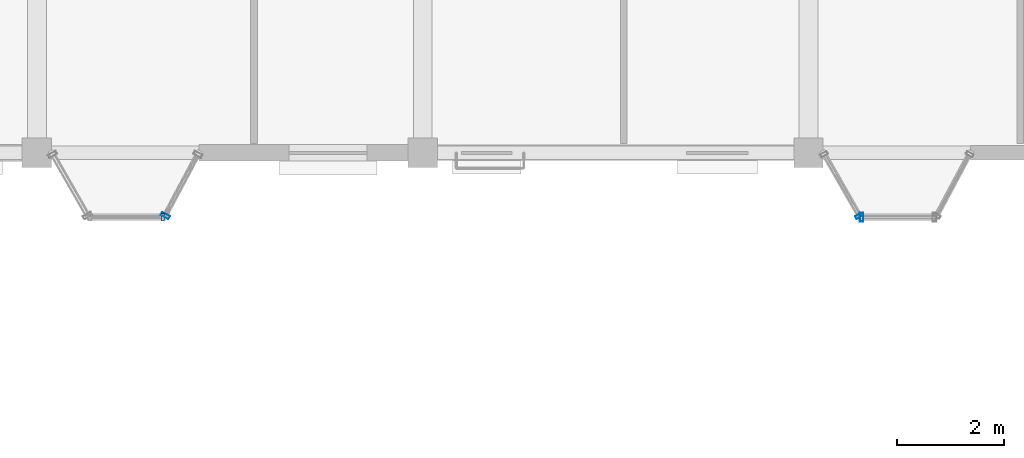
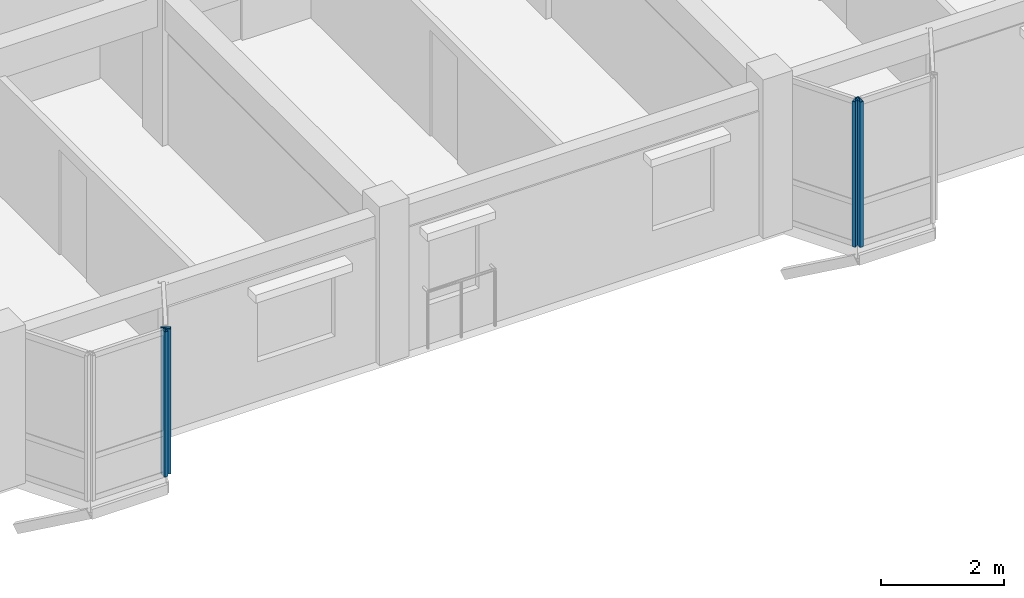
# One storey, part 32 of 75: 4 members, 4 elements without a shape of their own.
"""IFC4 building model written with IfcOpenShell, lengths in metres."""

from ifc_helpers import new_model, si_unit, direction, frame, origin, origin_2d, place, context, subcontext, project, spatial, hollow_rectangle, extrude, material, layer, layer_set, material_profile, profile_set, type_object, element, aggregate, save


model = new_model("IFC4")

# Units and contexts
model_context = context("Model", 3, precision=1e-05, world=origin(), true_north=direction((0.0, 1.0)))
body_context = subcontext(model_context, "Body", "Model", "MODEL_VIEW")
ifc_project = project(units=[si_unit("LENGTHUNIT", "METRE"), si_unit("AREAUNIT", "SQUARE_METRE"), si_unit("VOLUMEUNIT", "CUBIC_METRE"), si_unit("PLANEANGLEUNIT", "RADIAN"), si_unit("MASSUNIT", "GRAM", prefix="KILO"), si_unit("THERMODYNAMICTEMPERATUREUNIT", "KELVIN"), si_unit("POWERUNIT", "WATT")], contexts=[model_context])

# Site, building, storey
site_placement = place(None, origin())
site = spatial("IfcSite", under=ifc_project, at=site_placement, CompositionType="ELEMENT")
building_placement = place(site_placement, origin())
building = spatial("IfcBuilding", under=site, at=building_placement, Name="Tavuni Mirador Residences", CompositionType="ELEMENT")
storey_placement = place(building_placement, frame((0.0, 0.0, 20.25)))
storey = spatial("IfcBuildingStorey", under=building, at=storey_placement, Name="L06", CompositionType="ELEMENT", Elevation=20.25)

# Curtain wall, member
ifc_material = material(Name="Anodised aluminium", Category="aluminium")
ifc_layer_1 = layer(ifc_material, 0.1650390625, Name="Anodised aluminium", Category="aluminium")
ifc_layer_set_1 = layer_set([ifc_layer_1], Name="Anodised aluminium")
curtain_wall_type_1 = type_object("IfcCurtainWallType", Name="CWT-MIR-A", PredefinedType="NOTDEFINED", material=ifc_layer_set_1)
curtain_wall_1_placement = place(storey_placement, origin())
curtain_wall_1 = element("IfcCurtainWall", 1, at=curtain_wall_1_placement, inside=storey, type_object=curtain_wall_type_1, Name="CW-MIR-C-S2-L06-MF", PredefinedType="NOTDEFINED")
ifc_material_profile_1 = material_profile(ifc_material, hollow_rectangle(XDim=0.06005859375, YDim=0.139892578125, WallThickness=0.00390625, at=origin_2d()), Name="ALU 60x140x4.0", Category="aluminium")
ifc_profile_set_1 = profile_set([ifc_material_profile_1], Name="Anodised aluminium")
member_type_1 = type_object("IfcMemberType", Name="CWM-140", PredefinedType="MULLION", material=ifc_profile_set_1)
member_1_placement = place(storey_placement, frame((34.75, 142.800048828125, 0.0), z_axis=(0.0, 0.0, 1.0), x_axis=(1.0, 0.0, 0.0)))
member_1 = element("IfcMember", 2, at=member_1_placement, type_object=member_type_1, Name="CW-01 mullion 2", PredefinedType="MULLION", context=body_context, shape_type="SweptSolid", body=[
    extrude(hollow_rectangle(XDim=0.06005859375, YDim=0.139892578125, WallThickness=0.00390625, at=origin_2d()), origin(), (0.0, 0.0, 1.0), 2.885009765625),
])
aggregate(curtain_wall_1, [member_1])

ifc_layer_2 = layer(ifc_material, 0.175048828125, Name="Anodised aluminium", Category="aluminium")
ifc_layer_set_2 = layer_set([ifc_layer_2], Name="Anodised aluminium")
curtain_wall_type_2 = type_object("IfcCurtainWallType", Name="CWT-MIR-C", PredefinedType="NOTDEFINED", material=ifc_layer_set_2)
curtain_wall_2_placement = place(storey_placement, origin())
curtain_wall_2 = element("IfcCurtainWall", 3, at=curtain_wall_2_placement, inside=storey, type_object=curtain_wall_type_2, Name="CW-MIR-C-S3-L06-M1", PredefinedType="NOTDEFINED")
member_2_placement = place(storey_placement, frame((47.7451171875, 142.826171875, 0.0), z_axis=(0.0, 0.0, 1.0), x_axis=(0.495749192217, -0.868465738194, 0.0)))
member_2 = element("IfcMember", 4, at=member_2_placement, type_object=member_type_1, Name="CW-03 mullion 2", PredefinedType="MULLION", context=body_context, shape_type="SweptSolid", body=[
    extrude(hollow_rectangle(XDim=0.06005859375, YDim=0.139892578125, WallThickness=0.00390625, at=origin_2d()), origin(), (0.0, 0.0, 1.0), 2.885009765625),
])
aggregate(curtain_wall_2, [member_2])

ifc_layer_3 = layer(ifc_material, 0.14990234375, Name="Anodised aluminium", Category="aluminium")
ifc_layer_set_3 = layer_set([ifc_layer_3], Name="Anodised aluminium")
curtain_wall_type_3 = type_object("IfcCurtainWallType", Name="CWT-MIR-B", PredefinedType="NOTDEFINED", material=ifc_layer_set_3)
curtain_wall_3_placement = place(storey_placement, origin())
curtain_wall_3 = element("IfcCurtainWall", 5, at=curtain_wall_3_placement, inside=storey, type_object=curtain_wall_type_3, Name="CW-MIR-C-S2-L06-M2", PredefinedType="NOTDEFINED")
ifc_material_profile_2 = material_profile(ifc_material, hollow_rectangle(XDim=0.06494140625, YDim=0.1650390625, WallThickness=0.00439453125, at=origin_2d()), Name="ALU 65x165x4.5", Category="aluminium")
ifc_profile_set_2 = profile_set([ifc_material_profile_2], Name="Anodised aluminium")
member_type_2 = type_object("IfcMemberType", Name="CWM-165", PredefinedType="MULLION", material=ifc_profile_set_2)
member_3_placement = place(storey_placement, frame((34.79541015625, 142.82861328125, 0.0), z_axis=(0.0, 0.0, 1.0), x_axis=(0.470588235296, 0.882352941175, 0.0)))
member_3 = element("IfcMember", 6, at=member_3_placement, type_object=member_type_2, Name="CW-02 mullion 1", PredefinedType="MULLION", context=body_context, shape_type="SweptSolid", body=[
    extrude(hollow_rectangle(XDim=0.06494140625, YDim=0.1650390625, WallThickness=0.00439453125, at=origin_2d()), origin(), (0.0, 0.0, 1.0), 2.885009765625),
])
aggregate(curtain_wall_3, [member_3])

ifc_layer_4 = layer(ifc_material, 0.159912109375, Name="Anodised aluminium", Category="aluminium")
ifc_layer_set_4 = layer_set([ifc_layer_4], Name="Anodised aluminium")
curtain_wall_type_4 = type_object("IfcCurtainWallType", Name="CWT-MIR-D", PredefinedType="NOTDEFINED", material=ifc_layer_set_4)
curtain_wall_4_placement = place(storey_placement, origin())
curtain_wall_4 = element("IfcCurtainWall", 7, at=curtain_wall_4_placement, inside=storey, type_object=curtain_wall_type_4, Name="CW-MIR-C-S3-L06-MF", PredefinedType="NOTDEFINED")
member_4_placement = place(storey_placement, frame((47.79248046875, 142.800048828125, 0.0), z_axis=(0.0, 0.0, 1.0), x_axis=(1.0, 0.0, 0.0)))
member_4 = element("IfcMember", 8, at=member_4_placement, type_object=member_type_2, Name="CW-04 mullion 1", PredefinedType="MULLION", context=body_context, shape_type="SweptSolid", body=[
    extrude(hollow_rectangle(XDim=0.06494140625, YDim=0.1650390625, WallThickness=0.00439453125, at=origin_2d()), origin(), (0.0, 0.0, 1.0), 2.885009765625),
])
aggregate(curtain_wall_4, [member_4])

save(model, "model.ifc")
